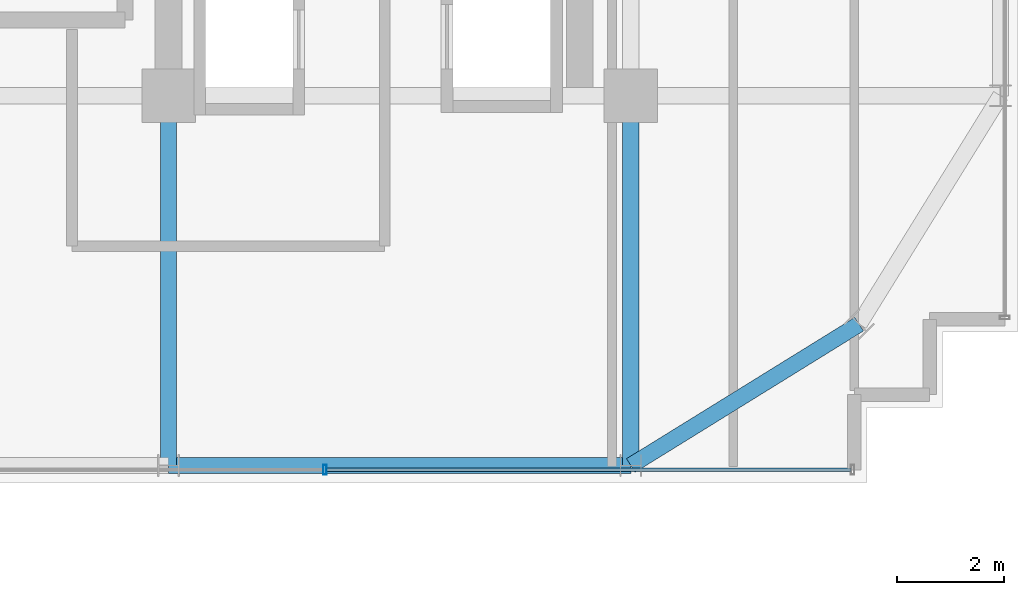
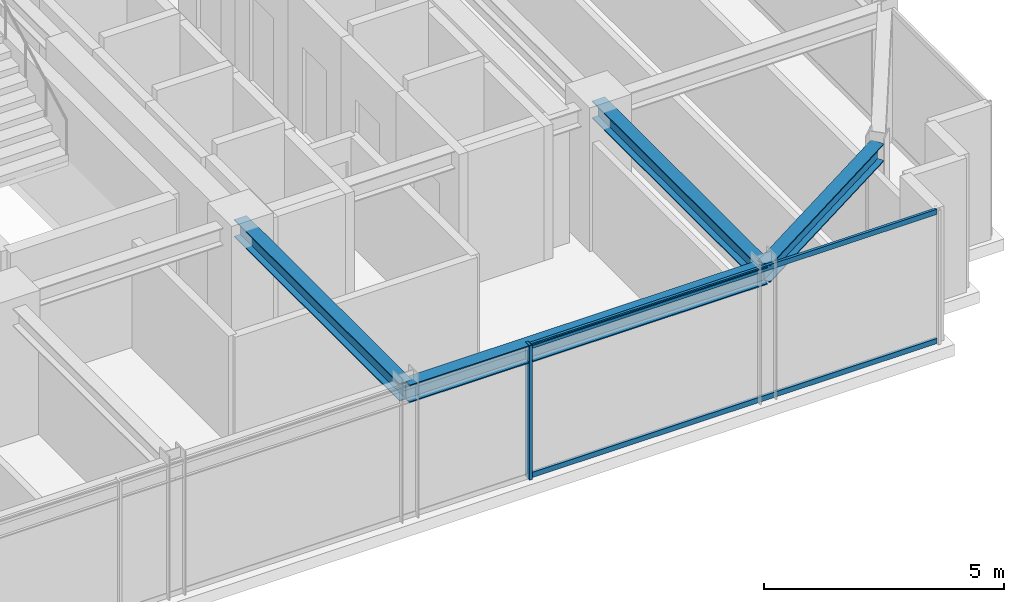
# One storey, part 12 of 35: 4 beams, 3 members, 1 element without a shape of its own.
"""IFC4 building model written with IfcOpenShell, lengths in metres."""

from ifc_helpers import new_model, si_unit, direction, frame, origin, origin_2d, place, context, subcontext, project, spatial, hollow_rectangle, i_section, extrude, source, transform, mapped, material, material_profile, profile_set, type_object, element, aggregate, save


model = new_model("IFC4")

# Units and contexts
model_context = context("Model", 3, precision=1e-05, world=origin(), true_north=direction((0.0, 1.0)))
body_context = subcontext(model_context, "Body", "Model", "MODEL_VIEW")
ifc_project = project(units=[si_unit("LENGTHUNIT", "METRE"), si_unit("AREAUNIT", "SQUARE_METRE"), si_unit("VOLUMEUNIT", "CUBIC_METRE"), si_unit("PLANEANGLEUNIT", "RADIAN"), si_unit("MASSUNIT", "GRAM", prefix="KILO")], contexts=[model_context])

# Site, building, storey
site_placement = place(None, origin())
site = spatial("IfcSite", under=ifc_project, at=site_placement, CompositionType="ELEMENT")
building_placement = place(site_placement, origin())
building = spatial("IfcBuilding", under=site, at=building_placement, Name="Nahalor Promenade Grand Hotel", CompositionType="ELEMENT")
storey_placement = place(building_placement, frame((0.0, 0.0, 245.60009765625)))
storey = spatial("IfcBuildingStorey", under=building, at=storey_placement, Name="L63", CompositionType="ELEMENT", Elevation=245.60009765625)

# Beams
ifc_material_1 = material(Name="Steel S355JR", Category="steel")
ifc_material_profile_1 = material_profile(ifc_material_1, i_section(OverallWidth=0.3, OverallDepth=0.45, WebThickness=0.014, FlangeThickness=0.026, at=origin_2d()), Name="HEB 450")
ifc_profile_set_1 = profile_set([ifc_material_profile_1], Name="Steel S355JR")
beam_type_1 = type_object("IfcBeamType", Name="Beam-Spandrel-HEB450", PredefinedType="SPANDREL", material=ifc_profile_set_1)
shared_shape_1 = source(origin(), body_context, "Body", "SweptSolid", [
    extrude(i_section(OverallWidth=0.3, OverallDepth=0.45, WebThickness=0.014, FlangeThickness=0.026, at=origin_2d()), origin(), (0.0, 0.0, 1.0), 8.60009765625),
])
beam_1_placement = place(storey_placement, frame((8.39990234375, -23.8798828125, 3.184814453125), z_axis=(1.0, 0.0, 0.0), x_axis=(0.0, 1.0, 0.0)))
element("IfcBeam", 1, at=beam_1_placement, inside=storey, type_object=beam_type_1, Name="BM-L63-SP-S-4", PredefinedType="SPANDREL", context=body_context, shape_type="MappedRepresentation", body=[
    mapped(shared_shape_1, transform((0.0, 0.0, 0.0), scale=1.0)),
])
shared_shape_2 = source(origin(), body_context, "Body", "SweptSolid", [
    extrude(i_section(OverallWidth=0.3, OverallDepth=0.45, WebThickness=0.014, FlangeThickness=0.026, at=origin_2d()), origin(), (0.0, 0.0, 1.0), 4.997802734375),
])
beam_2_placement = place(storey_placement, frame((17.0, -23.8798828125, 3.184814453125), z_axis=(0.850360908404, 0.526199891161, 0.0), x_axis=(-0.526199891161, 0.850360908404, 0.0)))
element("IfcBeam", 2, at=beam_2_placement, inside=storey, type_object=beam_type_1, Name="BM-L63-SPC-SE-1", PredefinedType="SPANDREL", context=body_context, shape_type="MappedRepresentation", body=[
    mapped(shared_shape_2, transform((0.0, 0.0, 0.0), scale=1.0)),
])
ifc_material_profile_2 = material_profile(ifc_material_1, i_section(OverallWidth=0.3, OverallDepth=0.45, WebThickness=0.014, FlangeThickness=0.026, at=origin_2d()), Name="HEB 450")
ifc_profile_set_2 = profile_set([ifc_material_profile_2], Name="Steel S355JR")
beam_type_2 = type_object("IfcBeamType", Name="Beam-Girder-HEB450", PredefinedType="BEAM", material=ifc_profile_set_2)
shared_shape_3 = source(origin(), body_context, "Body", "SweptSolid", [
    extrude(i_section(OverallWidth=0.3, OverallDepth=0.45, WebThickness=0.014, FlangeThickness=0.026, at=origin_2d()), origin(), (0.0, 0.0, 1.0), 6.8798828125),
])
for number, where, z_axis, x_axis, name in (
    (3, (8.39990234375, -23.8798828125, 3.184814453125), (0.0, 1.0, 0.0), (-1.0, 0.0, 0.0), "BM-L63-GY-4-0"),
    (4, (17.0, -23.8798828125, 3.184814453125), (0.0, 1.0, 0.0), (-1.0, 0.0, 0.0), "BM-L63-GY-5-0"),
):
    element("IfcBeam", number, at=place(storey_placement, frame(where, z_axis=z_axis, x_axis=x_axis)), inside=storey, type_object=beam_type_2, Name=name, PredefinedType="BEAM", context=body_context, shape_type="MappedRepresentation", body=[
        mapped(shared_shape_3, transform((0.0, 0.0, 0.0), scale=1.0)),
    ])

# Curtain wall, members
ifc_material_2 = material(Name="Anodised Bronze Aluminium EN AW-6063 T6", Category="aluminium")
curtain_wall_type = type_object("IfcCurtainWallType", Name="CW2 Typical Hotel Flush Bronze Unitised Curtain Wall", PredefinedType="USERDEFINED", material=ifc_material_2)
curtain_wall_placement = place(storey_placement, origin())
curtain_wall = element("IfcCurtainWall", 5, at=curtain_wall_placement, inside=storey, type_object=curtain_wall_type, Name="L63 Curtain Wall CW-L63-S-3", ObjectType="UNITISED_CURTAIN_WALL", PredefinedType="USERDEFINED")
ifc_material_profile_3 = material_profile(ifc_material_2, hollow_rectangle(XDim=0.065, YDim=0.13, WallThickness=0.004, at=origin_2d()), Name="CWT 65x130x4")
ifc_profile_set_3 = profile_set([ifc_material_profile_3], Name="Anodised Bronze Aluminium EN AW-6063 T6")
member_type_1 = type_object("IfcMemberType", Name="CWT2 Typical Bronze Transom 65x130", PredefinedType="USERDEFINED", material=ifc_profile_set_3)
shared_shape_4 = source(origin(), body_context, "Body", "SweptSolid", [
    extrude(hollow_rectangle(XDim=0.065, YDim=0.13, WallThickness=0.004, at=origin_2d()), origin(), (0.0, 0.0, 1.0), 9.755859375),
])
member_1_placement = place(storey_placement, frame((11.339111328125, -23.9599609375, 0.06494140625), z_axis=(1.0, 0.0, 0.0), x_axis=(0.0, 1.0, 0.0)))
member_1 = element("IfcMember", 6, at=member_1_placement, type_object=member_type_1, Name="CW-L63-S-3 Transom 2-0", ObjectType="TRANSOM", PredefinedType="USERDEFINED", context=body_context, shape_type="MappedRepresentation", body=[
    mapped(shared_shape_4, transform((0.0, 0.0, 0.0), scale=1.0)),
])
member_2_placement = place(storey_placement, frame((11.339111328125, -23.9599609375, 3.344970703125), z_axis=(1.0, 0.0, 0.0), x_axis=(0.0, 1.0, 0.0)))
member_2 = element("IfcMember", 7, at=member_2_placement, type_object=member_type_1, Name="CW-L63-S-3 Transom 2-1", ObjectType="TRANSOM", PredefinedType="USERDEFINED", context=body_context, shape_type="MappedRepresentation", body=[
    mapped(shared_shape_4, transform((0.0, 0.0, 0.0), scale=1.0)),
])
ifc_material_profile_4 = material_profile(ifc_material_2, hollow_rectangle(XDim=0.065, YDim=0.18, WallThickness=0.004, at=origin_2d()), Name="CWM 65x180x4")
ifc_profile_set_4 = profile_set([ifc_material_profile_4], Name="Anodised Bronze Aluminium EN AW-6063 T6")
member_type_2 = type_object("IfcMemberType", Name="CWM2 Typical Bronze Mullion 65x180", PredefinedType="MULLION", material=ifc_profile_set_4)
shared_shape_5 = source(origin(), body_context, "Body", "SweptSolid", [
    extrude(hollow_rectangle(XDim=0.065, YDim=0.18, WallThickness=0.004, at=origin_2d()), origin(), (0.0, 0.0, 1.0), 3.409912109375),
])
member_3_placement = place(storey_placement, frame((11.306640625, -23.9599609375, 0.0), z_axis=(0.0, 0.0, 1.0), x_axis=(1.0, 0.0, 0.0)))
member_3 = element("IfcMember", 8, at=member_3_placement, type_object=member_type_2, Name="CW-L63-S-3 Mullion 2", PredefinedType="MULLION", context=body_context, shape_type="MappedRepresentation", body=[
    mapped(shared_shape_5, transform((0.0, 0.0, 0.0), scale=1.0)),
])
aggregate(curtain_wall, [member_3, member_1, member_2])

save(model, "model.ifc")
